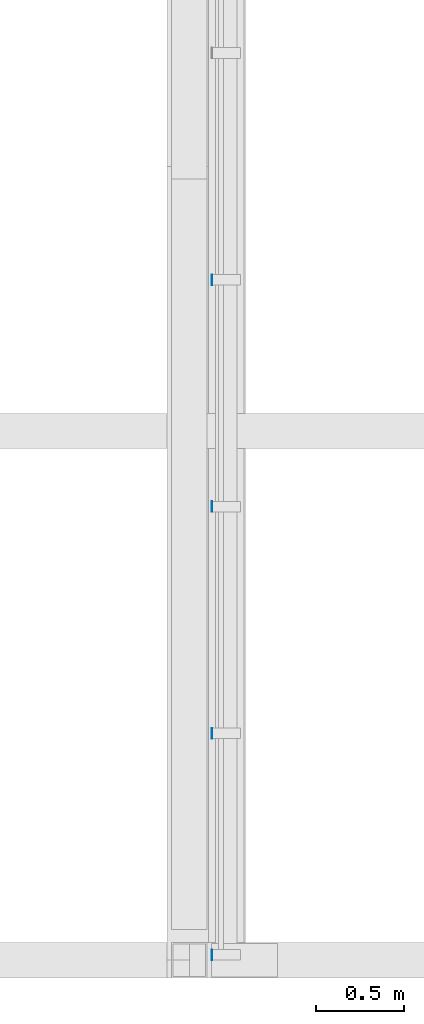
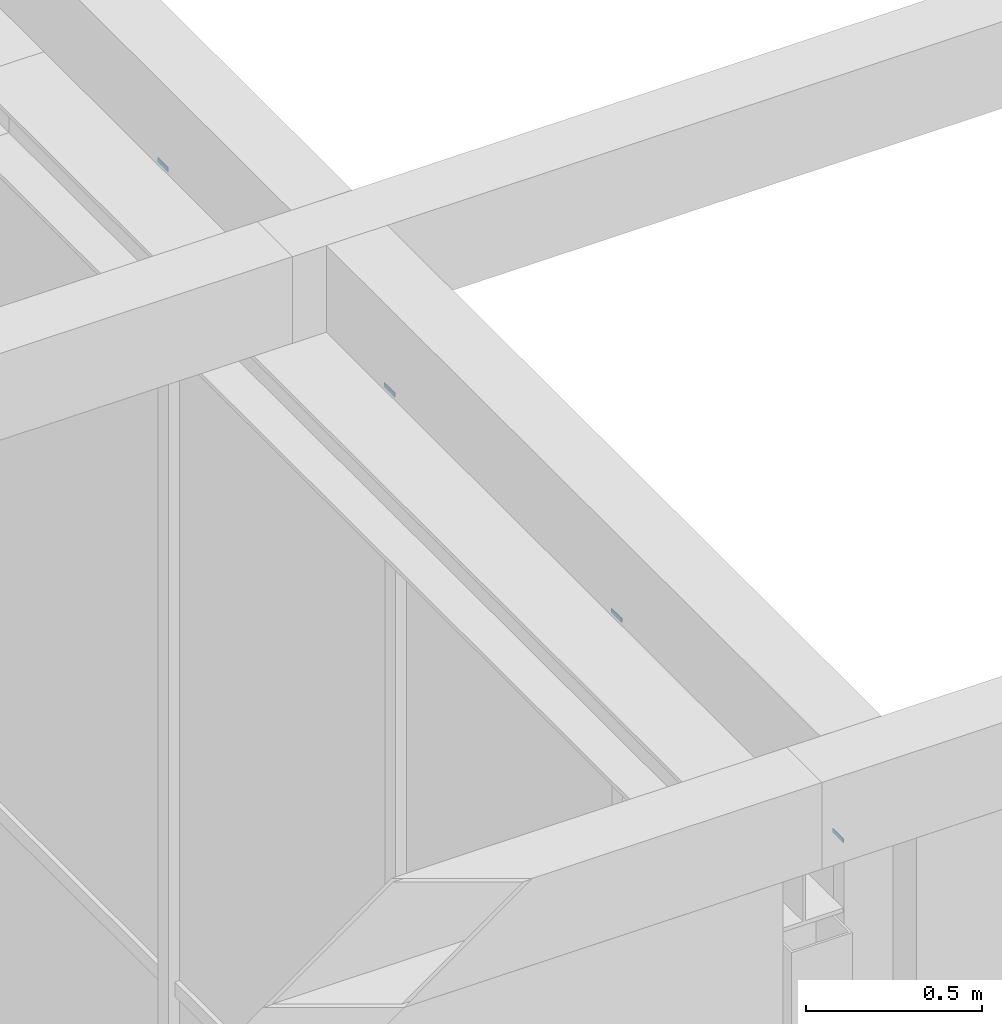
# One storey, part 428 of 646: 4 discrete accessories.
"""IFC4 building model written with IfcOpenShell, lengths in metres."""

from ifc_helpers import new_model, si_unit, direction, frame, origin, origin_2d, place, context, subcontext, project, spatial, rectangle, extrude, material, type_object, element, save


model = new_model("IFC4")

# Units and contexts
model_context = context("Model", 3, precision=1e-05, world=origin(), true_north=direction((0.0, 1.0)))
body_context = subcontext(model_context, "Body", "Model", "MODEL_VIEW")
ifc_project = project(units=[si_unit("LENGTHUNIT", "METRE"), si_unit("AREAUNIT", "SQUARE_METRE"), si_unit("VOLUMEUNIT", "CUBIC_METRE"), si_unit("PLANEANGLEUNIT", "RADIAN"), si_unit("MASSUNIT", "GRAM", prefix="KILO")], contexts=[model_context])

# Site, building, storey
site_placement = place(None, origin())
site = spatial("IfcSite", under=ifc_project, at=site_placement, CompositionType="ELEMENT")
building_placement = place(site_placement, origin())
building = spatial("IfcBuilding", under=site, at=building_placement, Name="Silverbay Arena", CompositionType="ELEMENT")
storey_placement = place(building_placement, frame((0.0, 0.0, 33.5)))
storey = spatial("IfcBuildingStorey", under=building, at=storey_placement, Name="L05", CompositionType="ELEMENT", Elevation=33.5)

# Discrete accessories
ifc_material = material(Name="Steel S355", Category="steel")
discrete_accessory_type = type_object("IfcDiscreteAccessoryType", Name="Steel bracket plate", PredefinedType="BRACKET", material=ifc_material)
for number, where, z_axis, x_axis, name in (
    (1, (207.128662109375, 9.030029296875, 12.98583984375), (0.0, 0.0, 1.0), (1.0, 0.0, 0.0), "Curtain wall packing plate"),
    (2, (207.128662109375, 10.28564453125, 12.98583984375), (0.0, 0.0, 1.0), (1.0, 0.0, 0.0), "Curtain wall packing plate"),
    (3, (207.128662109375, 11.571533203125, 12.98583984375), (0.0, 0.0, 1.0), (1.0, 0.0, 0.0), "Curtain wall packing plate"),
    (4, (207.128662109375, 12.857177734375, 12.98583984375), (0.0, 0.0, 1.0), (1.0, 0.0, 0.0), "Curtain wall packing plate"),
):
    element("IfcDiscreteAccessory", number, at=place(storey_placement, frame(where, z_axis=z_axis, x_axis=x_axis)), inside=storey, type_object=discrete_accessory_type, Name=name, PredefinedType="BRACKET", context=body_context, shape_type="SweptSolid", body=[
        extrude(rectangle(XDim=0.002685546875, YDim=0.06005859375, at=origin_2d()), origin(), (0.0, 0.0, 1.0), 0.01416015625),
    ])

save(model, "model.ifc")
